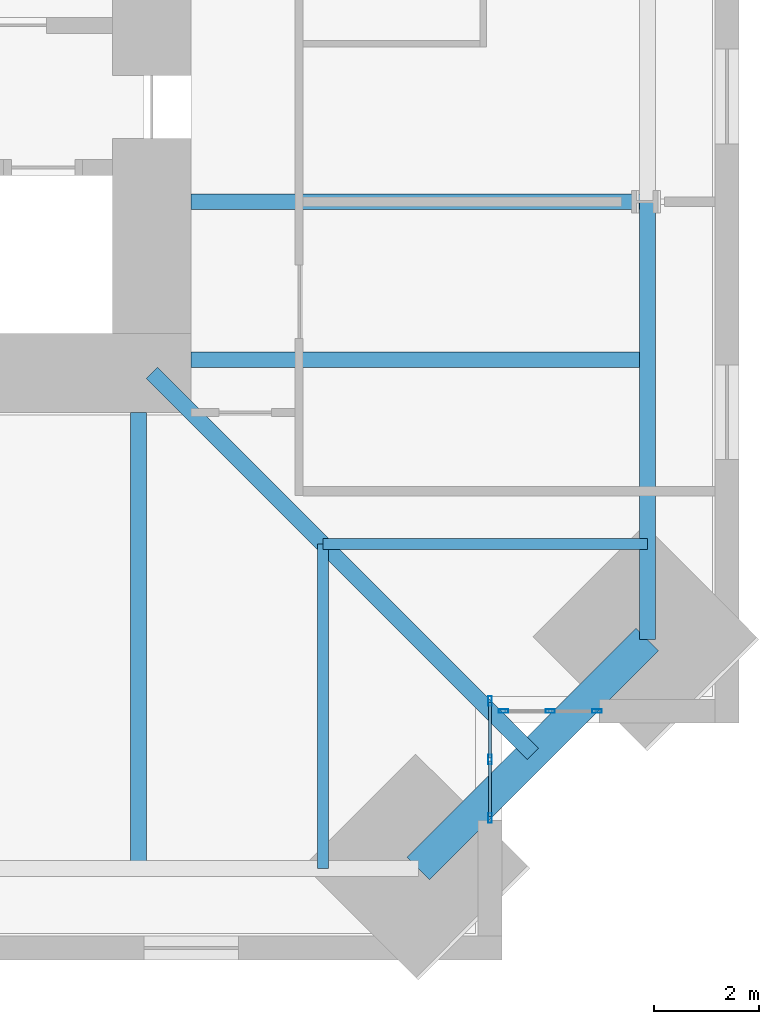
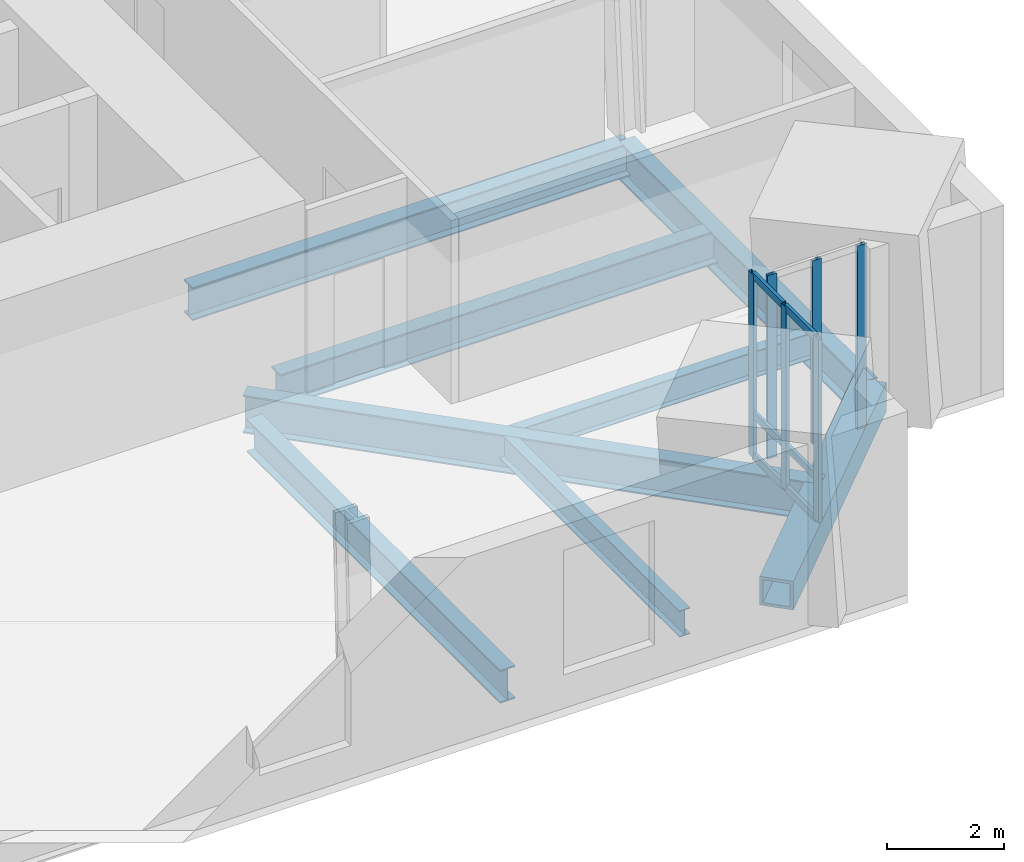
# One storey, part 4 of 17: 12 members, 8 beams, 2 elements without a shape of their own.
"""IFC4 building model written with IfcOpenShell, lengths in metres."""

import ifcopenshell
import ifcopenshell.guid

model = None  # the IFC model being written
_history = None  # IfcOwnerHistory: only IFC2X3 demands one
_inside = {}  # id of a spatial element -> (the spatial element, [elements in it])
_under = {}  # id of a project, library or spatial element -> (it, [spatial elements below it])
_declared = {}  # id of a project -> (the project, [libraries it declares])
_typed = {}  # id of a type object -> (the type object, [elements of that type])
_made_of = {}  # id of a material, layer set ... -> (it, [elements and type objects made of it])


def new_model(schema):
    """Start an empty IFC model of exactly this schema.

    Asked for "IFC4X3", IfcOpenShell would pick the latest addendum, in which some entities
    have other attributes; the version numbers below select the first issue.
    IFC2X3 requires an IfcOwnerHistory on every rooted entity: one is made here for all.
    """
    global model, _history
    if schema == "IFC4X3":
        model = ifcopenshell.file(schema_version=(4, 3, 0, 0))
    else:
        model = ifcopenshell.file(schema=schema)
    _inside.clear()
    _under.clear()
    _declared.clear()
    _typed.clear()
    _made_of.clear()
    _history = None
    if model.schema == "IFC2X3":
        org = make("IfcOrganization", Name="unknown")
        user = make(
            "IfcPersonAndOrganization",
            ThePerson=make("IfcPerson", FamilyName="unknown"),
            TheOrganization=org,
        )
        app = make(
            "IfcApplication",
            ApplicationDeveloper=org,
            Version="unknown",
            ApplicationFullName="unknown",
            ApplicationIdentifier="unknown",
        )
        _history = make(
            "IfcOwnerHistory",
            OwningUser=user,
            OwningApplication=app,
            ChangeAction="ADDED",
            CreationDate=0,
        )
    return model


def make(cls, **values):
    """One entity of the class cls with the attributes given. An attribute that is None is left unset."""
    return model.create_entity(
        cls, **{name: value for name, value in values.items() if value is not None}
    )


def rooted(cls, **values):
    """An entity with a GlobalId (a new one), such as an element, a storey or a relation."""
    return make(cls, GlobalId=ifcopenshell.guid.new(), OwnerHistory=_history, **values)


def si_unit(unit_type, name, prefix=None):
    """IfcSIUnit, for example si_unit("LENGTHUNIT", "METRE", prefix="MILLI")."""
    return make("IfcSIUnit", UnitType=unit_type, Prefix=prefix, Name=name)


def assignment(units):
    """IfcUnitAssignment: the units of a project."""
    return None if units is None else make("IfcUnitAssignment", Units=units)


def point(xyz):
    """IfcCartesianPoint."""
    return None if xyz is None else make("IfcCartesianPoint", Coordinates=xyz)


def direction(xyz):
    """IfcDirection."""
    return None if xyz is None else make("IfcDirection", DirectionRatios=xyz)


def frame(location, z_axis=None, x_axis=None):
    """IfcAxis2Placement3D, a coordinate frame: its origin and axes. An axis left out is left unset."""
    return make(
        "IfcAxis2Placement3D",
        Location=point(location),
        Axis=direction(z_axis),
        RefDirection=direction(x_axis),
    )


def frame_2d(location, x_axis=None):
    """IfcAxis2Placement2D, a coordinate frame in the plane: its origin and x axis."""
    return make(
        "IfcAxis2Placement2D", Location=point(location), RefDirection=direction(x_axis)
    )


def origin():
    """The frame at (0, 0, 0) with its axes left unset."""
    return frame((0.0, 0.0, 0.0))


def origin_2d():
    """The frame at (0, 0) in the plane with its x axis left unset."""
    return frame_2d((0.0, 0.0))


def place(relative_to, where):
    """IfcLocalPlacement: puts the frame where relative to a parent placement (None: the world)."""
    return make(
        "IfcLocalPlacement", PlacementRelTo=relative_to, RelativePlacement=where
    )


def context(
    kind, dimensions, precision=None, world=None, true_north=None, identifier=None
):
    """IfcGeometricRepresentationContext, for example the 3D "Model" context."""
    return make(
        "IfcGeometricRepresentationContext",
        ContextIdentifier=identifier,
        ContextType=kind,
        CoordinateSpaceDimension=dimensions,
        Precision=precision,
        WorldCoordinateSystem=world,
        TrueNorth=true_north,
    )


def subcontext(parent, identifier, kind, view, scale=None):
    """IfcGeometricRepresentationSubContext, for example "Body" below "Model"."""
    return make(
        "IfcGeometricRepresentationSubContext",
        ContextIdentifier=identifier,
        ContextType=kind,
        ParentContext=parent,
        TargetScale=scale,
        TargetView=view,
    )


def project(units=None, contexts=None):
    """IfcProject with its units and contexts."""
    return rooted(
        "IfcProject",
        Name="project",
        RepresentationContexts=contexts,
        UnitsInContext=assignment(units),
    )


def spatial(cls, under=None, at=None, **own):
    """A site, building, storey or space (cls), placed at a placement, below another one or the project."""
    s = rooted(cls, ObjectPlacement=at, **own)
    if under is not None:
        _under.setdefault(under.id(), (under, []))[1].append(s)
    return s


def profile(cls, at=None, kind="AREA", **sizes):
    """A parametric profile (cls). Its sizes go by their IFC names, for example OverallWidth=200.0."""
    return make(cls, ProfileType=kind, Position=at, **sizes)


def hollow_rectangle(**sizes):
    """IfcRectangleHollowProfileDef."""
    return profile("IfcRectangleHollowProfileDef", **sizes)


def i_section(**sizes):
    """IfcIShapeProfileDef."""
    return profile("IfcIShapeProfileDef", **sizes)


def extrude(swept, where, along, depth):
    """IfcExtrudedAreaSolid: the profile swept, set in the frame where, extruded along a direction by depth."""
    return make(
        "IfcExtrudedAreaSolid",
        SweptArea=swept,
        Position=where,
        ExtrudedDirection=direction(along),
        Depth=depth,
    )


def shape(context_of_items, identifier, shape_type, items):
    """IfcShapeRepresentation: the items that make up one representation, for example the "Body"."""
    return make(
        "IfcShapeRepresentation",
        ContextOfItems=context_of_items,
        RepresentationIdentifier=identifier,
        RepresentationType=shape_type,
        Items=items,
    )


def material(Name=None, Category=None):
    """IfcMaterial."""
    return make("IfcMaterial", Name=Name, Category=Category)


def material_profile(
    of_material, cross_section, Name=None, Category=None, Priority=None
):
    """IfcMaterialProfile: a cross section and its material."""
    return make(
        "IfcMaterialProfile",
        Name=Name,
        Material=of_material,
        Profile=cross_section,
        Priority=Priority,
        Category=Category,
    )


def profile_set(profiles, Name=None, composite=None):
    """IfcMaterialProfileSet."""
    return make(
        "IfcMaterialProfileSet",
        Name=Name,
        MaterialProfiles=profiles,
        CompositeProfile=composite,
    )


def made_of(thing, what):
    """Note that an element or type object is made of a material, layer set ...; save() writes the relation."""
    if what is not None:
        _made_of.setdefault(what.id(), (what, []))[1].append(thing)
    return thing


def type_object(cls, material=None, **own):
    """A type object (cls), such as IfcWallType, which elements share."""
    return made_of(rooted(cls, **own), material)


def element(
    cls,
    number,
    at=None,
    inside=None,
    cuts=None,
    type_object=None,
    material=None,
    context=None,
    identifier="Body",
    shape_type=None,
    held_by="IfcProductDefinitionShape",
    body=None,
    shapes=None,
    **own,
):
    """One element of the class cls, such as IfcWall. Its Tag is "e" and its number.

    at: its placement. inside: the storey or other place that contains it. cuts: it is an
    opening in that element (IfcRelVoidsElement). A single representation is given by context,
    identifier, shape_type and body (its items); several are given by shapes. held_by: the class
    of the entity that holds the representations. save() writes the other relations.
    """
    e = rooted(cls, Tag="e%d" % number, ObjectPlacement=at, **own)
    if body is not None:
        shapes = [shape(context, identifier, shape_type, body)]
    if shapes is not None:
        e.Representation = make(held_by, Representations=shapes)
    if inside is not None:
        _inside.setdefault(inside.id(), (inside, []))[1].append(e)
    if cuts is not None:
        rooted(
            "IfcRelVoidsElement", RelatingBuildingElement=cuts, RelatedOpeningElement=e
        )
    if type_object is not None:
        _typed.setdefault(type_object.id(), (type_object, []))[1].append(e)
    return made_of(e, material)


def aggregate(whole, parts):
    """IfcRelAggregates: a whole, such as a stair, and the parts it consists of."""
    return rooted("IfcRelAggregates", RelatingObject=whole, RelatedObjects=parts)


def save(model, path):
    """Write the relations noted so far, then the file.

    IfcRelAggregates (storeys below a building ...), IfcRelContainedInSpatialStructure (elements
    in a storey), IfcRelDefinesByType, IfcRelAssociatesMaterial and IfcRelDeclares: one each for
    every whole, place, type object, material and project.
    """
    for whole, parts in _under.values():
        aggregate(whole, parts)
    for where, things in _inside.values():
        rooted(
            "IfcRelContainedInSpatialStructure",
            RelatedElements=things,
            RelatingStructure=where,
        )
    for kind, things in _typed.values():
        rooted("IfcRelDefinesByType", RelatedObjects=things, RelatingType=kind)
    for what, things in _made_of.values():
        rooted("IfcRelAssociatesMaterial", RelatedObjects=things, RelatingMaterial=what)
    for by, libraries in _declared.values():
        rooted("IfcRelDeclares", RelatingContext=by, RelatedDefinitions=libraries)
    model.write(path)


model = new_model("IFC4")

# Units and contexts
model_context = context("Model", 3, precision=1e-05, world=origin(), true_north=direction((0.0, 1.0)))
body_context = subcontext(model_context, "Body", "Model", "MODEL_VIEW")
ifc_project = project(units=[si_unit("LENGTHUNIT", "METRE"), si_unit("AREAUNIT", "SQUARE_METRE"), si_unit("VOLUMEUNIT", "CUBIC_METRE"), si_unit("PLANEANGLEUNIT", "RADIAN"), si_unit("MASSUNIT", "GRAM", prefix="KILO")], contexts=[model_context])

# Site, building, storey
site_placement = place(None, origin())
site = spatial("IfcSite", under=ifc_project, at=site_placement, CompositionType="ELEMENT")
building_placement = place(site_placement, origin())
building = spatial("IfcBuilding", under=site, at=building_placement, Name="Peilmerk Tower", CompositionType="ELEMENT")
storey_placement = place(building_placement, frame((0.0, 0.0, 253.800048828125)))
storey = spatial("IfcBuildingStorey", under=building, at=storey_placement, Name="L56", CompositionType="ELEMENT", Elevation=253.800048828125)

# Beams
ifc_material_1 = material(Name="Steel S355", Category="steel")
ifc_material_profile_1 = material_profile(ifc_material_1, i_section(OverallWidth=0.2099609375, OverallDepth=0.550048828125, WebThickness=0.010986328125, FlangeThickness=0.01708984375, at=origin_2d()), Name="IPE 550")
ifc_profile_set_1 = profile_set([ifc_material_profile_1], Name="Steel S355")
beam_type_1 = type_object("IfcBeamType", Name="B12 IPE 550 floor beam", PredefinedType="BEAM", material=ifc_profile_set_1)
for number, where, z_axis, x_axis, name in (
    (1, (14.5, -14.5, -0.445068359375), (0.0, -1.0, 0.0), (1.0, 0.0, 0.0), "Floor beam L56"),
    (2, (14.5, -14.5, -0.445068359375), (1.0, 0.0, 0.0), (0.0, 1.0, 0.0), "Floor beam L56"),
):
    element("IfcBeam", number, at=place(storey_placement, frame(where, z_axis=z_axis, x_axis=x_axis)), inside=storey, type_object=beam_type_1, Name=name, PredefinedType="BEAM", context=body_context, shape_type="SweptSolid", body=[
        extrude(i_section(OverallWidth=0.2099609375, OverallDepth=0.550048828125, WebThickness=0.010986328125, FlangeThickness=0.01708984375, at=origin_2d()), origin(), (0.0, 0.0, 1.0), 6.162841796875),
    ])
ifc_material_profile_2 = material_profile(ifc_material_1, i_section(OverallWidth=0.302978515625, OverallDepth=0.81396484375, WebThickness=0.02099609375, FlangeThickness=0.0400390625, at=origin_2d()), Name="HEM 800")
ifc_profile_set_2 = profile_set([ifc_material_profile_2], Name="Steel S355")
beam_type_2 = type_object("IfcBeamType", Name="B15 HEM 800 edge beam", PredefinedType="SPANDREL", material=ifc_profile_set_2)
beam_1_placement = place(storey_placement, frame((20.662841796875, -16.31298828125, -0.5771484375), z_axis=(0.0, 1.0, 0.0), x_axis=(-1.0, 0.0, 0.0)))
element("IfcBeam", 3, at=beam_1_placement, inside=storey, type_object=beam_type_2, Name="Edge beam L56", PredefinedType="SPANDREL", context=body_context, shape_type="SweptSolid", body=[
    extrude(i_section(OverallWidth=0.302978515625, OverallDepth=0.81396484375, WebThickness=0.02099609375, FlangeThickness=0.0400390625, at=origin_2d()), origin(), (0.0, 0.0, 1.0), 8.31298828125),
])
ifc_material_profile_3 = material_profile(ifc_material_1, i_section(OverallWidth=0.300048828125, OverallDepth=0.68994140625, WebThickness=0.014404296875, FlangeThickness=0.027099609375, at=origin_2d()), Name="HEA 700")
ifc_profile_set_3 = profile_set([ifc_material_profile_3], Name="Steel S355")
beam_type_3 = type_object("IfcBeamType", Name="B16 HEA 700 floor beam", PredefinedType="BEAM", material=ifc_profile_set_3)
for number, where, z_axis, x_axis, name in (
    (4, (12.0, -11.0, -0.51513671875), (1.0, 0.0, 0.0), (0.0, 1.0, 0.0), "Floor beam L56"),
    (5, (12.0, -8.0, -0.51513671875), (1.0, 0.0, 0.0), (0.0, 1.0, 0.0), "Floor beam L56"),
    (6, (11.0, -12.0, -0.51513671875), (0.0, -1.0, 0.0), (1.0, 0.0, 0.0), "Floor beam L56"),
):
    element("IfcBeam", number, at=place(storey_placement, frame(where, z_axis=z_axis, x_axis=x_axis)), inside=storey, type_object=beam_type_3, Name=name, PredefinedType="BEAM", context=body_context, shape_type="SweptSolid", body=[
        extrude(i_section(OverallWidth=0.300048828125, OverallDepth=0.68994140625, WebThickness=0.014404296875, FlangeThickness=0.027099609375, at=origin_2d()), origin(), (0.0, 0.0, 1.0), 8.662841796875),
    ])
ifc_material_2 = material(Name="Steel S460", Category="steel")
ifc_material_profile_4 = material_profile(ifc_material_2, hollow_rectangle(XDim=0.60009765625, YDim=0.60009765625, WallThickness=0.06005859375, at=origin_2d()), Name="BOX 600x600x60")
ifc_profile_set_4 = profile_set([ifc_material_profile_4], Name="Steel S460")
beam_type_4 = type_object("IfcBeamType", Name="B20 BOX 600x600x60 notch beam", PredefinedType="SPANDREL", material=ifc_profile_set_4)
beam_2_placement = place(storey_placement, frame((20.662841796875, -16.31298828125, -0.469970703125), z_axis=(-0.707106781187, -0.707106781187, 0.0), x_axis=(0.707106781187, -0.707106781187, 0.0)))
element("IfcBeam", 7, at=beam_2_placement, inside=storey, type_object=beam_type_4, Name="Notch beam L56", PredefinedType="SPANDREL", context=body_context, shape_type="SweptSolid", body=[
    extrude(hollow_rectangle(XDim=0.60009765625, YDim=0.60009765625, WallThickness=0.06005859375, at=origin_2d()), origin(), (0.0, 0.0, 1.0), 6.151611328125),
])
ifc_material_profile_5 = material_profile(ifc_material_1, i_section(OverallWidth=0.300048828125, OverallDepth=0.7900390625, WebThickness=0.014892578125, FlangeThickness=0.028076171875, at=origin_2d()), Name="HEA 800")
ifc_profile_set_5 = profile_set([ifc_material_profile_5], Name="Steel S355")
beam_type_5 = type_object("IfcBeamType", Name="B3 HEA 800 floor beam", PredefinedType="BEAM", material=ifc_profile_set_5)
beam_3_placement = place(storey_placement, frame((11.25, -11.25, -0.56494140625), z_axis=(0.707106781187, -0.707106781187, 0.0), x_axis=(0.707106781187, 0.707106781187, 0.0)))
element("IfcBeam", 8, at=beam_3_placement, inside=storey, type_object=beam_type_5, Name="Corner girder L56", PredefinedType="BEAM", context=body_context, shape_type="SweptSolid", body=[
    extrude(i_section(OverallWidth=0.300048828125, OverallDepth=0.7900390625, WebThickness=0.014892578125, FlangeThickness=0.028076171875, at=origin_2d()), origin(), (0.0, 0.0, 1.0), 10.23583984375),
])

# Curtain wall, members
ifc_material_3 = material(Name="Aluminium stick curtain wall", Category="aluminium")
curtain_wall_type = type_object("IfcCurtainWallType", Name="CW4 stick curtain wall, 2250 module", PredefinedType="NOTDEFINED", material=ifc_material_3)
curtain_wall_1_placement = place(storey_placement, origin())
curtain_wall_1 = element("IfcCurtainWall", 9, at=curtain_wall_1_placement, inside=storey, type_object=curtain_wall_type, Name="Curtain wall CW4 SEA L56", PredefinedType="NOTDEFINED")
ifc_material_4 = material(Name="Aluminium EN AW-6063 T6", Category="aluminium")
ifc_material_profile_6 = material_profile(ifc_material_4, hollow_rectangle(XDim=0.06494140625, YDim=0.179931640625, WallThickness=0.0029296875, at=origin_2d()), Name="AL 180x65x3")
ifc_profile_set_6 = profile_set([ifc_material_profile_6], Name="Aluminium EN AW-6063 T6")
member_type_1 = type_object("IfcMemberType", Name="CW4-M AL 180x65x3 mullion", PredefinedType="MULLION", material=ifc_profile_set_6)
member_1_placement = place(storey_placement, frame((17.675048828125, -17.482421875, 0.0), z_axis=(0.0, 0.0, 1.0), x_axis=(1.0, 0.0, 0.0)))
member_1 = element("IfcMember", 10, at=member_1_placement, type_object=member_type_1, Name="CW4 mullion 1", PredefinedType="MULLION", context=body_context, shape_type="SweptSolid", body=[
    extrude(hollow_rectangle(XDim=0.06494140625, YDim=0.179931640625, WallThickness=0.0029296875, at=origin_2d()), origin(), (0.0, 0.0, 1.0), 3.829833984375),
])
member_2_placement = place(storey_placement, frame((17.675048828125, -18.59423828125, 0.0), z_axis=(0.0, 0.0, 1.0), x_axis=(1.0, 0.0, 0.0)))
member_2 = element("IfcMember", 11, at=member_2_placement, type_object=member_type_1, Name="CW4 mullion 2", PredefinedType="MULLION", context=body_context, shape_type="SweptSolid", body=[
    extrude(hollow_rectangle(XDim=0.06494140625, YDim=0.179931640625, WallThickness=0.0029296875, at=origin_2d()), origin(), (0.0, 0.0, 1.0), 3.829833984375),
])
member_3_placement = place(storey_placement, frame((17.675048828125, -19.706298828125, 0.0), z_axis=(0.0, 0.0, 1.0), x_axis=(1.0, 0.0, 0.0)))
member_3 = element("IfcMember", 12, at=member_3_placement, type_object=member_type_1, Name="CW4 mullion 3", PredefinedType="MULLION", context=body_context, shape_type="SweptSolid", body=[
    extrude(hollow_rectangle(XDim=0.06494140625, YDim=0.179931640625, WallThickness=0.0029296875, at=origin_2d()), origin(), (0.0, 0.0, 1.0), 3.829833984375),
])

curtain_wall_2_placement = place(storey_placement, origin())
curtain_wall_2 = element("IfcCurtainWall", 13, at=curtain_wall_2_placement, inside=storey, type_object=curtain_wall_type, Name="Curtain wall CW4 SEB L56", PredefinedType="NOTDEFINED")
member_4_placement = place(storey_placement, frame((17.9326171875, -17.675048828125, 0.0), z_axis=(0.0, 0.0, 1.0), x_axis=(0.0, 1.0, 0.0)))
member_4 = element("IfcMember", 14, at=member_4_placement, type_object=member_type_1, Name="CW4 mullion 1", PredefinedType="MULLION", context=body_context, shape_type="SweptSolid", body=[
    extrude(hollow_rectangle(XDim=0.06494140625, YDim=0.179931640625, WallThickness=0.0029296875, at=origin_2d()), origin(), (0.0, 0.0, 1.0), 3.829833984375),
])
member_5_placement = place(storey_placement, frame((18.8193359375, -17.675048828125, 0.0), z_axis=(0.0, 0.0, 1.0), x_axis=(0.0, 1.0, 0.0)))
member_5 = element("IfcMember", 15, at=member_5_placement, type_object=member_type_1, Name="CW4 mullion 2", PredefinedType="MULLION", context=body_context, shape_type="SweptSolid", body=[
    extrude(hollow_rectangle(XDim=0.06494140625, YDim=0.179931640625, WallThickness=0.0029296875, at=origin_2d()), origin(), (0.0, 0.0, 1.0), 3.829833984375),
])
member_6_placement = place(storey_placement, frame((19.706298828125, -17.675048828125, 0.0), z_axis=(0.0, 0.0, 1.0), x_axis=(0.0, 1.0, 0.0)))
member_6 = element("IfcMember", 16, at=member_6_placement, type_object=member_type_1, Name="CW4 mullion 3", PredefinedType="MULLION", context=body_context, shape_type="SweptSolid", body=[
    extrude(hollow_rectangle(XDim=0.06494140625, YDim=0.179931640625, WallThickness=0.0029296875, at=origin_2d()), origin(), (0.0, 0.0, 1.0), 3.829833984375),
])
aggregate(curtain_wall_2, [member_4, member_5, member_6])

# Member
ifc_material_profile_7 = material_profile(ifc_material_4, hollow_rectangle(XDim=0.06494140625, YDim=0.14990234375, WallThickness=0.0029296875, at=origin_2d()), Name="AL 150x65x3")
ifc_profile_set_7 = profile_set([ifc_material_profile_7], Name="Aluminium EN AW-6063 T6")
member_type_2 = type_object("IfcMemberType", Name="CW4-T AL 150x65x3 transom", PredefinedType="USERDEFINED", material=ifc_profile_set_7)
member_7_placement = place(storey_placement, frame((17.675048828125, -17.514892578125, 0.032470703125), z_axis=(0.0, -1.0, 0.0), x_axis=(1.0, 0.0, 0.0)))
member_7 = element("IfcMember", 17, at=member_7_placement, type_object=member_type_2, Name="CW4 transom 1.1", ObjectType="TRANSOM", PredefinedType="USERDEFINED", context=body_context, shape_type="SweptSolid", body=[
    extrude(hollow_rectangle(XDim=0.06494140625, YDim=0.14990234375, WallThickness=0.0029296875, at=origin_2d()), origin(), (0.0, 0.0, 1.0), 1.046875),
])

member_8_placement = place(storey_placement, frame((17.675048828125, -17.514892578125, 0.89990234375), z_axis=(0.0, -1.0, 0.0), x_axis=(1.0, 0.0, 0.0)))
member_8 = element("IfcMember", 18, at=member_8_placement, type_object=member_type_2, Name="CW4 transom 1.2", ObjectType="TRANSOM", PredefinedType="USERDEFINED", context=body_context, shape_type="SweptSolid", body=[
    extrude(hollow_rectangle(XDim=0.06494140625, YDim=0.14990234375, WallThickness=0.0029296875, at=origin_2d()), origin(), (0.0, 0.0, 1.0), 1.046875),
])

member_9_placement = place(storey_placement, frame((17.675048828125, -17.514892578125, 3.79736328125), z_axis=(0.0, -1.0, 0.0), x_axis=(1.0, 0.0, 0.0)))
member_9 = element("IfcMember", 19, at=member_9_placement, type_object=member_type_2, Name="CW4 transom 1.3", ObjectType="TRANSOM", PredefinedType="USERDEFINED", context=body_context, shape_type="SweptSolid", body=[
    extrude(hollow_rectangle(XDim=0.06494140625, YDim=0.14990234375, WallThickness=0.0029296875, at=origin_2d()), origin(), (0.0, 0.0, 1.0), 1.046875),
])

member_10_placement = place(storey_placement, frame((17.675048828125, -18.626953125, 0.032470703125), z_axis=(0.0, -1.0, 0.0), x_axis=(1.0, 0.0, 0.0)))
member_10 = element("IfcMember", 20, at=member_10_placement, type_object=member_type_2, Name="CW4 transom 2.1", ObjectType="TRANSOM", PredefinedType="USERDEFINED", context=body_context, shape_type="SweptSolid", body=[
    extrude(hollow_rectangle(XDim=0.06494140625, YDim=0.14990234375, WallThickness=0.0029296875, at=origin_2d()), origin(), (0.0, 0.0, 1.0), 1.046630859375),
])

member_11_placement = place(storey_placement, frame((17.675048828125, -18.626953125, 0.89990234375), z_axis=(0.0, -1.0, 0.0), x_axis=(1.0, 0.0, 0.0)))
member_11 = element("IfcMember", 21, at=member_11_placement, type_object=member_type_2, Name="CW4 transom 2.2", ObjectType="TRANSOM", PredefinedType="USERDEFINED", context=body_context, shape_type="SweptSolid", body=[
    extrude(hollow_rectangle(XDim=0.06494140625, YDim=0.14990234375, WallThickness=0.0029296875, at=origin_2d()), origin(), (0.0, 0.0, 1.0), 1.046630859375),
])

member_12_placement = place(storey_placement, frame((17.675048828125, -18.626953125, 3.79736328125), z_axis=(0.0, -1.0, 0.0), x_axis=(1.0, 0.0, 0.0)))
member_12 = element("IfcMember", 22, at=member_12_placement, type_object=member_type_2, Name="CW4 transom 2.3", ObjectType="TRANSOM", PredefinedType="USERDEFINED", context=body_context, shape_type="SweptSolid", body=[
    extrude(hollow_rectangle(XDim=0.06494140625, YDim=0.14990234375, WallThickness=0.0029296875, at=origin_2d()), origin(), (0.0, 0.0, 1.0), 1.046630859375),
])

aggregate(curtain_wall_1, [member_1, member_2, member_3, member_7, member_8, member_9, member_10, member_11, member_12])

save(model, "model.ifc")
